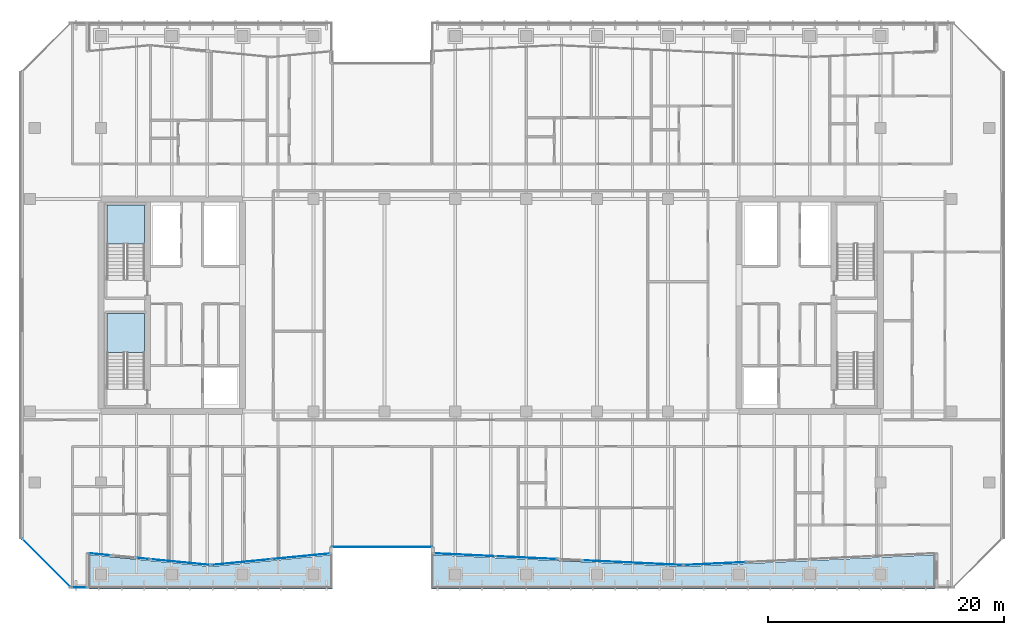
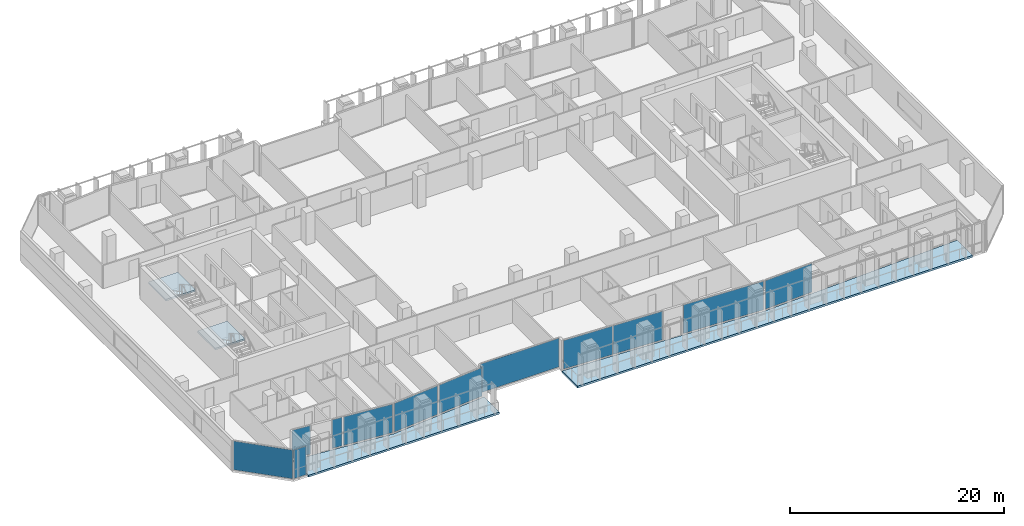
# One storey, part 25 of 39: 12 plates, 4 slabs, 13 elements without a shape of their own.
"""IFC4 building model written with IfcOpenShell, lengths in metres."""

from ifc_helpers import new_model, si_unit, direction, frame, origin, origin_2d, place, context, subcontext, project, spatial, polyline, rectangle, outline, extrude, material, layer, layer_set, type_object, element, aggregate, save


model = new_model("IFC4")

# Units and contexts
model_context = context("Model", 3, precision=1e-05, world=origin(), true_north=direction((0.0, 1.0)))
body_context = subcontext(model_context, "Body", "Model", "MODEL_VIEW")
ifc_project = project(units=[si_unit("LENGTHUNIT", "METRE"), si_unit("AREAUNIT", "SQUARE_METRE"), si_unit("VOLUMEUNIT", "CUBIC_METRE"), si_unit("PLANEANGLEUNIT", "RADIAN"), si_unit("MASSUNIT", "GRAM", prefix="KILO")], contexts=[model_context])

# Site, building, storey
site_placement = place(None, origin())
site = spatial("IfcSite", under=ifc_project, at=site_placement, CompositionType="ELEMENT")
building_placement = place(site_placement, origin())
building = spatial("IfcBuilding", under=site, at=building_placement, Name="Tanjung Sevakor Pilgrim Tower", CompositionType="ELEMENT")
storey_placement = place(building_placement, frame((0.0, 0.0, 108.570068359375)))
storey = spatial("IfcBuildingStorey", under=building, at=storey_placement, Name="L30", CompositionType="ELEMENT", Elevation=108.570068359375)

# Stair, slab
ifc_material_1 = material(Name="Concrete C40/50", Category="concrete")
stair_type = type_object("IfcStairType", Name="STAIR-ST-CR150", PredefinedType="HALF_TURN_STAIR", material=ifc_material_1)
stair_1_placement = place(storey_placement, origin())
stair_1 = element("IfcStair", 1, at=stair_1_placement, inside=storey, type_object=stair_type, Name="L30 West Core Exit Stair 1", PredefinedType="HALF_TURN_STAIR")
ifc_material_2 = material(Name="Concrete C40/50", Category="concrete")
ifc_layer_1 = layer(ifc_material_2, 0.199951171875)
ifc_layer_set_1 = layer_set([ifc_layer_1], Name="SL-LAND-200")
slab_type_1 = type_object("IfcSlabType", Name="SL-LAND-200", PredefinedType="LANDING", material=ifc_layer_set_1)
slab_1_placement = place(storey_placement, frame((0.0, 0.0, 1.614990234375)))
slab_1 = element("IfcSlab", 2, at=slab_1_placement, type_object=slab_type_1, Name="TS-W1 landing 1", PredefinedType="LANDING", context=body_context, shape_type="SweptSolid", body=[
    extrude(outline(polyline([(27.699951171875, 29.60009765625), (27.699951171875, 32.89990234375), (24.5, 32.89990234375), (24.5, 29.60009765625), (27.699951171875, 29.60009765625)])), origin(), (0.0, 0.0, 1.0), 0.199951171875),
])
aggregate(stair_1, [slab_1])

stair_2_placement = place(storey_placement, origin())
stair_2 = element("IfcStair", 3, at=stair_2_placement, inside=storey, type_object=stair_type, Name="L30 West Core Exit Stair 2", PredefinedType="HALF_TURN_STAIR")
slab_2_placement = place(storey_placement, frame((0.0, 0.0, 1.614990234375)))
slab_2 = element("IfcSlab", 4, at=slab_2_placement, type_object=slab_type_1, Name="TS-W2 landing 1", PredefinedType="LANDING", context=body_context, shape_type="SweptSolid", body=[
    extrude(outline(polyline([(27.699951171875, 38.800048828125), (27.699951171875, 42.10009765625), (24.5, 42.10009765625), (24.5, 38.800048828125), (27.699951171875, 38.800048828125)])), origin(), (0.0, 0.0, 1.0), 0.199951171875),
])
aggregate(stair_2, [slab_2])

# Slabs
ifc_material_3 = material(Name="Concrete C40/50", Category="concrete")
ifc_layer_2 = layer(ifc_material_3, 0.239990234375)
ifc_layer_set_2 = layer_set([ifc_layer_2], Name="SL-TER-240")
slab_type_2 = type_object("IfcSlabType", Name="SL-TER-240", PredefinedType="FLOOR", material=ifc_layer_set_2)
slab_3_placement = place(storey_placement, frame((0.0, 0.0, -0.219970703125)))
element("IfcSlab", 5, at=slab_3_placement, inside=storey, type_object=slab_type_2, Name="L30 Recessed S-Curve Terrace SW", PredefinedType="FLOOR", context=body_context, shape_type="SweptSolid", body=[
    extrude(outline(polyline([(23.0, 9.60009765625), (43.60009765625, 9.60009765625), (43.60009765625, 12.47998046875), (38.449951171875, 11.97998046875), (33.300048828125, 11.47998046875), (28.14990234375, 11.97998046875), (23.0, 12.47998046875), (23.0, 9.60009765625)])), origin(), (0.0, 0.0, 1.0), 0.219970703125),
])
slab_4_placement = place(storey_placement, frame((0.0, 0.0, -0.219970703125)))
element("IfcSlab", 6, at=slab_4_placement, inside=storey, type_object=slab_type_2, Name="L30 Recessed S-Curve Terrace SE", PredefinedType="FLOOR", context=body_context, shape_type="SweptSolid", body=[
    extrude(outline(polyline([(52.0, 9.60009765625), (94.60009765625, 9.60009765625), (94.60009765625, 12.47998046875), (83.949951171875, 11.97998046875), (73.300048828125, 11.47998046875), (62.64990234375, 11.97998046875), (52.0, 12.47998046875), (52.0, 9.60009765625)])), origin(), (0.0, 0.0, 1.0), 0.219970703125),
])

# Curtain wall, plate
ifc_material_4 = material(Name="Aluminium 6063-T6 and Low-E Glass", Category="aluminium")
ifc_layer_3 = layer(ifc_material_4, 0.179931640625)
ifc_layer_set_3 = layer_set([ifc_layer_3], Name="CW-SYS-CLEFT")
curtain_wall_type_1 = type_object("IfcCurtainWallType", Name="CW-SYS-CLEFT", PredefinedType="NOTDEFINED", material=ifc_layer_set_3)
curtain_wall_1_placement = place(storey_placement, origin())
curtain_wall_1 = element("IfcCurtainWall", 7, at=curtain_wall_1_placement, inside=storey, type_object=curtain_wall_type_1, Name="L30 Curtain Wall CW-CLF-L30-7", PredefinedType="NOTDEFINED")
ifc_material_5 = material(Name="Laminated Low-E Double Glazing", Category="glass")
ifc_layer_4 = layer(ifc_material_5, 0.028076171875)
ifc_layer_set_4 = layer_set([ifc_layer_4], Name="TYPE-CWP-GLZ1")
plate_type_1 = type_object("IfcPlateType", Name="TYPE-CWP-GLZ1", PredefinedType="CURTAIN_PANEL", material=ifc_layer_set_4)
plate_1_placement = place(storey_placement, frame((47.800048828125, 13.125, 0.06494140625), z_axis=(0.0, 0.0, 1.0), x_axis=(1.0, 0.0, 0.0)))
plate_1 = element("IfcPlate", 8, at=plate_1_placement, type_object=plate_type_1, Name="CW-CLF panel 1.1", PredefinedType="CURTAIN_PANEL", context=body_context, shape_type="SweptSolid", body=[
    extrude(rectangle(XDim=8.5, YDim=0.028076171875, at=origin_2d()), origin(), (0.0, 0.0, 1.0), 3.280029296875),
])
aggregate(curtain_wall_1, [plate_1])

ifc_material_6 = material(Name="Aluminium 6063-T6 and Low-E Glass", Category="aluminium")
ifc_layer_5 = layer(ifc_material_6, 0.179931640625)
ifc_layer_set_5 = layer_set([ifc_layer_5], Name="CW-SYS-CHAM")
curtain_wall_type_2 = type_object("IfcCurtainWallType", Name="CW-SYS-CHAM", PredefinedType="NOTDEFINED", material=ifc_layer_set_5)
curtain_wall_2_placement = place(storey_placement, origin())
curtain_wall_2 = element("IfcCurtainWall", 9, at=curtain_wall_2_placement, inside=storey, type_object=curtain_wall_type_2, Name="L30 Curtain Wall CW-CHM-L30-MAIN-35", PredefinedType="NOTDEFINED")
plate_2_placement = place(storey_placement, frame((19.388427734375, 11.788330078125, 0.06494140625), z_axis=(0.0, 0.0, 1.0), x_axis=(0.707106781187, -0.707106781187, 0.0)))
plate_2 = element("IfcPlate", 10, at=plate_2_placement, type_object=plate_type_1, Name="CW-CHM panel 1.1", PredefinedType="CURTAIN_PANEL", context=body_context, shape_type="SweptSolid", body=[
    extrude(rectangle(XDim=5.7060546875, YDim=0.028076171875, at=origin_2d()), origin(), (0.0, 0.0, 1.0), 3.280029296875),
])
aggregate(curtain_wall_2, [plate_2])

ifc_material_7 = material(Name="Aluminium 6063-T6 and Low-E Glass", Category="aluminium")
ifc_layer_6 = layer(ifc_material_7, 0.199951171875)
ifc_layer_set_6 = layer_set([ifc_layer_6], Name="CW-SYS-PRAY")
curtain_wall_type_3 = type_object("IfcCurtainWallType", Name="CW-SYS-PRAY", PredefinedType="NOTDEFINED", material=ifc_layer_set_6)
curtain_wall_3_placement = place(storey_placement, origin())
curtain_wall_3 = element("IfcCurtainWall", 11, at=curtain_wall_3_placement, inside=storey, type_object=curtain_wall_type_3, Name="L30 Curtain Wall CW-PRY-L30-0", PredefinedType="NOTDEFINED")
ifc_material_8 = material(Name="Solar-Control Low-E Acoustic Glazing", Category="glass")
ifc_layer_7 = layer(ifc_material_8, 0.031982421875)
ifc_layer_set_7 = layer_set([ifc_layer_7], Name="TYPE-CWP-GLZ2")
plate_type_2 = type_object("IfcPlateType", Name="TYPE-CWP-GLZ2", PredefinedType="CURTAIN_PANEL", material=ifc_layer_set_7)
plate_3_placement = place(storey_placement, frame((22.163330078125, 9.72509765625, 0.07470703125), z_axis=(0.0, 0.0, 1.0), x_axis=(1.0, 0.0, 0.0)))
plate_3 = element("IfcPlate", 12, at=plate_3_placement, type_object=plate_type_2, Name="CW-PRY panel 1.1", PredefinedType="CURTAIN_PANEL", context=body_context, shape_type="SweptSolid", body=[
    extrude(rectangle(XDim=1.273193359375, YDim=0.031982421875, at=origin_2d()), origin(), (0.0, 0.0, 1.0), 3.260009765625),
])
aggregate(curtain_wall_3, [plate_3])

curtain_wall_4_placement = place(storey_placement, origin())
curtain_wall_4 = element("IfcCurtainWall", 13, at=curtain_wall_4_placement, inside=storey, type_object=curtain_wall_type_3, Name="L30 Curtain Wall CW-PRY-L30-2A", PredefinedType="NOTDEFINED")
plate_4_placement = place(storey_placement, frame((23.895263671875, 12.5185546875, 0.07470703125), z_axis=(0.0, 0.0, 1.0), x_axis=(0.995319942492, -0.096634424913, 0.0)))
plate_4 = element("IfcPlate", 14, at=plate_4_placement, type_object=plate_type_2, Name="CW-PRY panel 1.1", PredefinedType="CURTAIN_PANEL", context=body_context, shape_type="SweptSolid", body=[
    extrude(rectangle(XDim=1.89990234375, YDim=0.031982421875, at=origin_2d()), origin(), (0.0, 0.0, 1.0), 3.260009765625),
])
aggregate(curtain_wall_4, [plate_4])

curtain_wall_5_placement = place(storey_placement, origin())
curtain_wall_5 = element("IfcCurtainWall", 15, at=curtain_wall_5_placement, inside=storey, type_object=curtain_wall_type_3, Name="L30 Curtain Wall CW-PRY-L30-2B", PredefinedType="NOTDEFINED")
plate_5_placement = place(storey_placement, frame((27.56396484375, 12.162353515625, 0.07470703125), z_axis=(0.0, 0.0, 1.0), x_axis=(0.995323729951, -0.096595406708, 0.0)))
plate_5 = element("IfcPlate", 16, at=plate_5_placement, type_object=plate_type_2, Name="CW-PRY panel 1.1", PredefinedType="CURTAIN_PANEL", context=body_context, shape_type="SweptSolid", body=[
    extrude(rectangle(XDim=1.052001953125, YDim=0.031982421875, at=origin_2d()), origin(), (0.0, 0.0, 1.0), 3.260009765625),
])
aggregate(curtain_wall_5, [plate_5])

curtain_wall_6_placement = place(storey_placement, origin())
curtain_wall_6 = element("IfcCurtainWall", 17, at=curtain_wall_6_placement, inside=storey, type_object=curtain_wall_type_3, Name="L30 Curtain Wall CW-PRY-L30-3", PredefinedType="NOTDEFINED")
plate_6_placement = place(storey_placement, frame((30.73095703125, 11.85498046875, 0.07470703125), z_axis=(0.0, 0.0, 1.0), x_axis=(0.995320549462, -0.096628173007, 0.0)))
plate_6 = element("IfcPlate", 18, at=plate_6_placement, type_object=plate_type_2, Name="CW-PRY panel 1.1", PredefinedType="CURTAIN_PANEL", context=body_context, shape_type="SweptSolid", body=[
    extrude(rectangle(XDim=5.011962890625, YDim=0.031982421875, at=origin_2d()), origin(), (0.0, 0.0, 1.0), 3.260009765625),
])
aggregate(curtain_wall_6, [plate_6])

curtain_wall_7_placement = place(storey_placement, origin())
curtain_wall_7 = element("IfcCurtainWall", 19, at=curtain_wall_7_placement, inside=storey, type_object=curtain_wall_type_3, Name="L30 Curtain Wall CW-PRY-L30-4", PredefinedType="NOTDEFINED")
plate_7_placement = place(storey_placement, frame((35.868896484375, 11.85498046875, 0.07470703125), z_axis=(0.0, 0.0, 1.0), x_axis=(0.995320549462, 0.096628173007, 0.0)))
plate_7 = element("IfcPlate", 20, at=plate_7_placement, type_object=plate_type_2, Name="CW-PRY panel 1.1", PredefinedType="CURTAIN_PANEL", context=body_context, shape_type="SweptSolid", body=[
    extrude(rectangle(XDim=5.011962890625, YDim=0.031982421875, at=origin_2d()), origin(), (0.0, 0.0, 1.0), 3.260009765625),
])
aggregate(curtain_wall_7, [plate_7])

curtain_wall_8_placement = place(storey_placement, origin())
curtain_wall_8 = element("IfcCurtainWall", 21, at=curtain_wall_8_placement, inside=storey, type_object=curtain_wall_type_3, Name="L30 Curtain Wall CW-PRY-L30-5", PredefinedType="NOTDEFINED")
plate_8_placement = place(storey_placement, frame((40.95654296875, 12.348876953125, 0.07470703125), z_axis=(0.0, 0.0, 1.0), x_axis=(0.995318916625, 0.096644990598, 0.0)))
plate_8 = element("IfcPlate", 22, at=plate_8_placement, type_object=plate_type_2, Name="CW-PRY panel 1.1", PredefinedType="CURTAIN_PANEL", context=body_context, shape_type="SweptSolid", body=[
    extrude(rectangle(XDim=4.910888671875, YDim=0.031982421875, at=origin_2d()), origin(), (0.0, 0.0, 1.0), 3.260009765625),
])
aggregate(curtain_wall_8, [plate_8])

# Curtain wall, plates
curtain_wall_9_placement = place(storey_placement, origin())
curtain_wall_9 = element("IfcCurtainWall", 23, at=curtain_wall_9_placement, inside=storey, type_object=curtain_wall_type_3, Name="L30 Curtain Wall CW-PRY-L30-9", PredefinedType="NOTDEFINED")
plate_9_placement = place(storey_placement, frame((54.7763671875, 12.474853515625, 0.07470703125), z_axis=(0.0, 0.0, 1.0), x_axis=(0.998899781957, -0.046895901799, 0.0)))
plate_9 = element("IfcPlate", 24, at=plate_9_placement, type_object=plate_type_2, Name="CW-PRY panel 1.1", PredefinedType="CURTAIN_PANEL", context=body_context, shape_type="SweptSolid", body=[
    extrude(rectangle(XDim=5.15869140625, YDim=0.031982421875, at=origin_2d()), origin(), (0.0, 0.0, 1.0), 3.260009765625),
])
plate_10_placement = place(storey_placement, frame((60.00439453125, 12.2294921875, 0.07470703125), z_axis=(0.0, 0.0, 1.0), x_axis=(0.998899781957, -0.046895901799, 0.0)))
plate_10 = element("IfcPlate", 25, at=plate_10_placement, type_object=plate_type_2, Name="CW-PRY panel 2.1", PredefinedType="CURTAIN_PANEL", context=body_context, shape_type="SweptSolid", body=[
    extrude(rectangle(XDim=5.15869140625, YDim=0.031982421875, at=origin_2d()), origin(), (0.0, 0.0, 1.0), 3.260009765625),
])
aggregate(curtain_wall_9, [plate_9, plate_10])

# Curtain wall, plate
curtain_wall_10_placement = place(storey_placement, origin())
curtain_wall_10 = element("IfcCurtainWall", 26, at=curtain_wall_10_placement, inside=storey, type_object=curtain_wall_type_3, Name="L30 Curtain Wall CW-PRY-L30-10B", PredefinedType="NOTDEFINED")
plate_11_placement = place(storey_placement, frame((69.0068359375, 11.806640625, 0.07470703125), z_axis=(0.0, 0.0, 1.0), x_axis=(0.998899294055, -0.046906293141, 0.0)))
plate_11 = element("IfcPlate", 27, at=plate_11_placement, type_object=plate_type_2, Name="CW-PRY panel 1.1", PredefinedType="CURTAIN_PANEL", context=body_context, shape_type="SweptSolid", body=[
    extrude(rectangle(XDim=8.44580078125, YDim=0.031982421875, at=origin_2d()), origin(), (0.0, 0.0, 1.0), 3.260009765625),
])
aggregate(curtain_wall_10, [plate_11])

curtain_wall_11_placement = place(storey_placement, origin())
curtain_wall_11 = element("IfcCurtainWall", 28, at=curtain_wall_11_placement, inside=storey, type_object=curtain_wall_type_3, Name="L30 Curtain Wall CW-PRY-L30-11", PredefinedType="NOTDEFINED")
plate_12_placement = place(storey_placement, frame((75.979736328125, 11.73095703125, 0.07470703125), z_axis=(0.0, 0.0, 1.0), x_axis=(0.998899405896, 0.046903911367, 0.0)))
plate_12 = element("IfcPlate", 29, at=plate_12_placement, type_object=plate_type_2, Name="CW-PRY panel 1.1", PredefinedType="CURTAIN_PANEL", context=body_context, shape_type="SweptSolid", body=[
    extrude(rectangle(XDim=5.21533203125, YDim=0.031982421875, at=origin_2d()), origin(), (0.0, 0.0, 1.0), 3.260009765625),
])
aggregate(curtain_wall_11, [plate_12])

save(model, "model.ifc")
